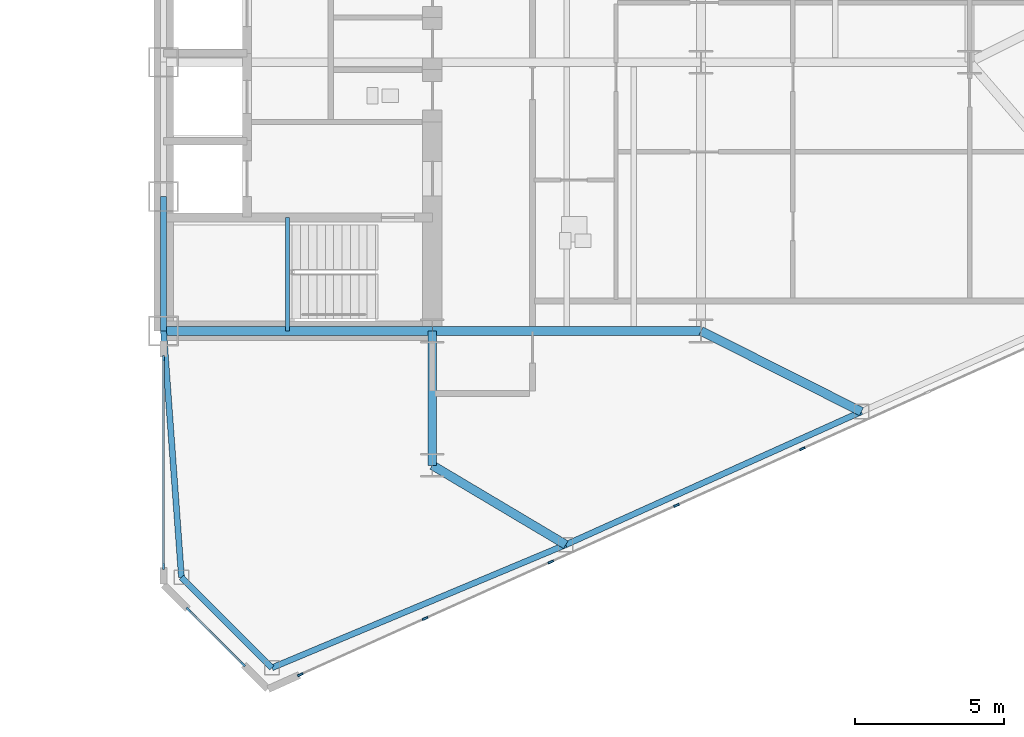
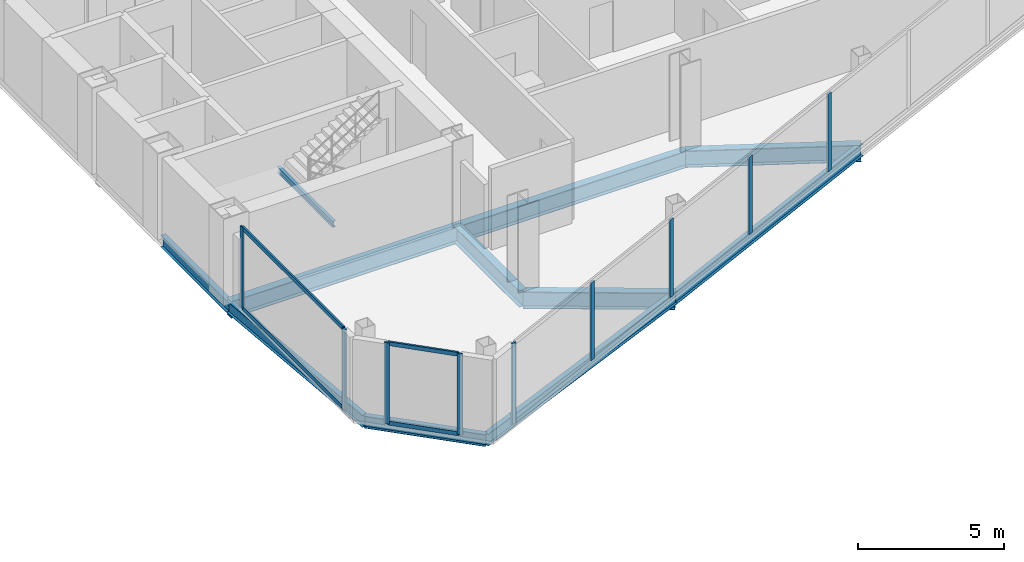
# One storey, part 10 of 27: 13 members, 11 beams, 3 elements without a shape of their own.
"""IFC4 building model written with IfcOpenShell, lengths in metres."""

from ifc_helpers import new_model, si_unit, direction, frame, origin, origin_2d, place, context, subcontext, project, spatial, rectangle, i_section, extrude, source, transform, mapped, material, layer, layer_set, material_profile, profile_set, type_object, type_shapes, element, aggregate, save


model = new_model("IFC4")

# Units and contexts
model_context = context("Model", 3, precision=1e-05, world=origin(), true_north=direction((0.0, 1.0)))
body_context = subcontext(model_context, "Body", "Model", "MODEL_VIEW")
ifc_project = project(units=[si_unit("LENGTHUNIT", "METRE"), si_unit("AREAUNIT", "SQUARE_METRE"), si_unit("VOLUMEUNIT", "CUBIC_METRE"), si_unit("PLANEANGLEUNIT", "RADIAN"), si_unit("MASSUNIT", "GRAM", prefix="KILO")], contexts=[model_context])

# Site, building, storey
site_placement = place(None, origin())
site = spatial("IfcSite", under=ifc_project, at=site_placement, CompositionType="ELEMENT")
building_placement = place(site_placement, origin())
building = spatial("IfcBuilding", under=site, at=building_placement, Name="Seokmaru Belvedere", CompositionType="ELEMENT")
storey_placement = place(building_placement, frame((0.0, 0.0, 99.60009765625)))
storey = spatial("IfcBuildingStorey", under=building, at=storey_placement, Name="L26", CompositionType="ELEMENT", Elevation=99.60009765625)

# Beams
ifc_material_1 = material(Name="Steel SM355 (355 MPa)", Category="steel")
ifc_material_profile_1 = material_profile(ifc_material_1, i_section(OverallWidth=0.199951171875, OverallDepth=0.5, WebThickness=0.010009765625, FlangeThickness=0.01611328125, at=origin_2d()), Name="H-500x200x10x16")
ifc_profile_set_1 = profile_set([ifc_material_profile_1], Name="Steel SM355 (355 MPa)")
beam_type_1 = type_object("IfcBeamType", Name="Perimeter Spandrel Beam H-500", PredefinedType="SPANDREL", material=ifc_profile_set_1)
shared_shape_1 = source(origin(), body_context, "Body", "SweptSolid", [
    extrude(i_section(OverallWidth=0.199951171875, OverallDepth=0.5, WebThickness=0.010009765625, FlangeThickness=0.01611328125, at=origin_2d()), origin(), (0.0, 0.0, 1.0), 4.5),
])
beam_1_placement = place(storey_placement, frame((27.5, -13.5, -0.47021484375), z_axis=(0.0, 1.0, 0.0), x_axis=(-1.0, 0.0, 0.0)))
element("IfcBeam", 1, at=beam_1_placement, inside=storey, type_object=beam_type_1, Name="L26 E Portal Spine Spandrel 1", PredefinedType="SPANDREL", context=body_context, shape_type="MappedRepresentation", body=[
    mapped(shared_shape_1, transform((0.0, 0.0, 0.0), scale=1.0)),
])
ifc_material_profile_2 = material_profile(ifc_material_1, i_section(OverallWidth=0.300048828125, OverallDepth=0.699951171875, WebThickness=0.012939453125, FlangeThickness=0.02392578125, at=origin_2d()), Name="H-700x300x13x24")
ifc_profile_set_2 = profile_set([ifc_material_profile_2], Name="Steel SM355 (355 MPa)")
beam_type_2 = type_object("IfcBeamType", Name="Primary Floor Girder H-700", PredefinedType="BEAM", material=ifc_profile_set_2)
shared_shape_2 = source(origin(), body_context, "Body", "SweptSolid", [
    extrude(i_section(OverallWidth=0.300048828125, OverallDepth=0.699951171875, WebThickness=0.012939453125, FlangeThickness=0.02392578125, at=origin_2d()), origin(), (0.0, 0.0, 1.0), 4.5),
])
beam_2_placement = place(storey_placement, frame((36.5, -18.0, -0.570068359375), z_axis=(0.0, 1.0, 0.0), x_axis=(-1.0, 0.0, 0.0)))
element("IfcBeam", 2, at=beam_2_placement, inside=storey, type_object=beam_type_2, Name="L26 E Core Shoulder Girder S", PredefinedType="BEAM", context=body_context, shape_type="MappedRepresentation", body=[
    mapped(shared_shape_2, transform((0.0, 0.0, 0.0), scale=1.0)),
])
shared_shape_3 = source(origin(), body_context, "Body", "SweptSolid", [
    extrude(i_section(OverallWidth=0.300048828125, OverallDepth=0.699951171875, WebThickness=0.012939453125, FlangeThickness=0.02392578125, at=origin_2d()), origin(), (0.0, 0.0, 1.0), 9.0),
])
for number, where, z_axis, x_axis, name in (
    (3, (27.5, -13.5, -0.570068359375), (1.0, 0.0, 0.0), (0.0, 1.0, 0.0), "L26 E Core Tie Girder 1"),
    (4, (36.5, -13.5, -0.570068359375), (1.0, 0.0, 0.0), (0.0, 1.0, 0.0), "L26 E Wing Primary Girder 1"),
):
    element("IfcBeam", number, at=place(storey_placement, frame(where, z_axis=z_axis, x_axis=x_axis)), inside=storey, type_object=beam_type_2, Name=name, PredefinedType="BEAM", context=body_context, shape_type="MappedRepresentation", body=[
        mapped(shared_shape_3, transform((0.0, 0.0, 0.0), scale=1.0)),
    ])
shared_shape_4 = source(origin(), body_context, "Body", "SweptSolid", [
    extrude(i_section(OverallWidth=0.199951171875, OverallDepth=0.5, WebThickness=0.010009765625, FlangeThickness=0.01611328125, at=origin_2d()), origin(), (0.0, 0.0, 1.0), 10.66943359375),
])
beam_3_placement = place(storey_placement, frame((31.13134765625, -24.782958984375, -0.47021484375), z_axis=(0.922375393128, 0.386294750355, 0.0), x_axis=(-0.386294750355, 0.922375393128, 0.0)))
element("IfcBeam", 5, at=beam_3_placement, inside=storey, type_object=beam_type_1, Name="L26 E Faceted Flank Spandrel S-1", PredefinedType="SPANDREL", context=body_context, shape_type="MappedRepresentation", body=[
    mapped(shared_shape_4, transform((0.0, 0.0, 0.0), scale=1.0)),
])
shared_shape_5 = source(origin(), body_context, "Body", "SweptSolid", [
    extrude(i_section(OverallWidth=0.199951171875, OverallDepth=0.5, WebThickness=0.010009765625, FlangeThickness=0.01611328125, at=origin_2d()), origin(), (0.0, 0.0, 1.0), 10.85888671875),
])
beam_4_placement = place(storey_placement, frame((40.97265625, -20.661376953125, -0.47021484375), z_axis=(0.911921505175, 0.410364677329, 0.0), x_axis=(-0.410364677329, 0.911921505175, 0.0)))
element("IfcBeam", 6, at=beam_4_placement, inside=storey, type_object=beam_type_1, Name="L26 E Faceted Flank Spandrel S-2", PredefinedType="SPANDREL", context=body_context, shape_type="MappedRepresentation", body=[
    mapped(shared_shape_5, transform((0.0, 0.0, 0.0), scale=1.0)),
])
shared_shape_6 = source(origin(), body_context, "Body", "SweptSolid", [
    extrude(i_section(OverallWidth=0.199951171875, OverallDepth=0.5, WebThickness=0.010009765625, FlangeThickness=0.01611328125, at=origin_2d()), origin(), (0.0, 0.0, 1.0), 4.287109375),
])
beam_5_placement = place(storey_placement, frame((31.13134765625, -24.782958984375, -0.47021484375), z_axis=(-0.707078306132, 0.707135255094, 0.0), x_axis=(-0.707135255094, -0.707078306132, 0.0)))
element("IfcBeam", 7, at=beam_5_placement, inside=storey, type_object=beam_type_1, Name="L26 E Shoulder Chamfer Spandrel S", PredefinedType="SPANDREL", context=body_context, shape_type="MappedRepresentation", body=[
    mapped(shared_shape_6, transform((0.0, 0.0, 0.0), scale=1.0)),
])
shared_shape_7 = source(origin(), body_context, "Body", "SweptSolid", [
    extrude(i_section(OverallWidth=0.199951171875, OverallDepth=0.5, WebThickness=0.010009765625, FlangeThickness=0.01611328125, at=origin_2d()), origin(), (0.0, 0.0, 1.0), 8.273193359375),
])
type_shapes(beam_type_1, [shared_shape_1, shared_shape_4, shared_shape_5, shared_shape_6, shared_shape_7])
beam_6_placement = place(storey_placement, frame((28.10009765625, -21.75146484375, -0.47021484375), z_axis=(-0.072534628348, 0.99736589459, 0.0), x_axis=(-0.99736589459, -0.072534628348, 0.0)))
element("IfcBeam", 8, at=beam_6_placement, inside=storey, type_object=beam_type_1, Name="L26 E Shoulder Spine Spandrel S", PredefinedType="SPANDREL", context=body_context, shape_type="MappedRepresentation", body=[
    mapped(shared_shape_7, transform((0.0, 0.0, 0.0), scale=1.0)),
])
shared_shape_8 = source(origin(), body_context, "Body", "SweptSolid", [
    extrude(i_section(OverallWidth=0.300048828125, OverallDepth=0.699951171875, WebThickness=0.012939453125, FlangeThickness=0.02392578125, at=origin_2d()), origin(), (0.0, 0.0, 1.0), 5.20458984375),
])
beam_7_placement = place(storey_placement, frame((40.97265625, -20.661376953125, -0.570068359375), z_axis=(-0.859370434188, 0.511353553662, 0.0), x_axis=(-0.511353553662, -0.859370434188, 0.0)))
element("IfcBeam", 9, at=beam_7_placement, inside=storey, type_object=beam_type_2, Name="L26 E Flank Radial Floor Girder S-1", PredefinedType="BEAM", context=body_context, shape_type="MappedRepresentation", body=[
    mapped(shared_shape_8, transform((0.0, 0.0, 0.0), scale=1.0)),
])
shared_shape_9 = source(origin(), body_context, "Body", "SweptSolid", [
    extrude(i_section(OverallWidth=0.300048828125, OverallDepth=0.699951171875, WebThickness=0.012939453125, FlangeThickness=0.02392578125, at=origin_2d()), origin(), (0.0, 0.0, 1.0), 6.017333984375),
])
type_shapes(beam_type_2, [shared_shape_2, shared_shape_3, shared_shape_8, shared_shape_9])
beam_8_placement = place(storey_placement, frame((50.875, -16.205322265625, -0.570068359375), z_axis=(-0.893239341975, 0.449581447512, 0.0), x_axis=(-0.449581447512, -0.893239341975, 0.0)))
element("IfcBeam", 10, at=beam_8_placement, inside=storey, type_object=beam_type_2, Name="L26 E Flank Radial Floor Girder S-2", PredefinedType="BEAM", context=body_context, shape_type="MappedRepresentation", body=[
    mapped(shared_shape_9, transform((0.0, 0.0, 0.0), scale=1.0)),
])

# Curtain wall, member
ifc_material_2 = material(Name="Bronze Triple Insulating Glass", Category="glass")
ifc_layer = layer(ifc_material_2, 0.195068359375)
ifc_layer_set = layer_set([ifc_layer], Name="Bronze Triple Insulating Glass")
curtain_wall_type = type_object("IfcCurtainWallType", Name="Lower-Mid Tapered Curtain Wall System CW-3", PredefinedType="NOTDEFINED", material=ifc_layer_set)
curtain_wall_1_placement = place(storey_placement, origin())
curtain_wall_1 = element("IfcCurtainWall", 11, at=curtain_wall_1_placement, inside=storey, type_object=curtain_wall_type, Name="L26 Curtain Wall EF1", PredefinedType="NOTDEFINED")
ifc_material_3 = material(Name="Anodised Bronze Aluminium", Category="aluminium")
ifc_material_profile_3 = material_profile(ifc_material_3, rectangle(XDim=0.070068359375, YDim=0.195068359375, at=origin_2d()), Name="CW-M-70x195")
ifc_profile_set_3 = profile_set([ifc_material_profile_3], Name="Anodised Bronze Aluminium")
member_type_1 = type_object("IfcMemberType", Name="Bronze Unitised Mullion 70x195", PredefinedType="MULLION", material=ifc_profile_set_3)
shared_shape_10 = source(origin(), body_context, "Body", "SweptSolid", [
    extrude(rectangle(XDim=0.070068359375, YDim=0.195068359375, at=origin_2d()), origin(), (0.0, 0.0, 1.0), 3.3798828125),
])
member_1_placement = place(storey_placement, frame((32.08056640625, -25.013671875, 0.0), z_axis=(0.0, 0.0, 1.0), x_axis=(-0.41036554765, 0.91192111353, 0.0)))
member_1 = element("IfcMember", 12, at=member_1_placement, type_object=member_type_1, Name="CW:L26:EF1 Mullion 1", PredefinedType="MULLION", context=body_context, shape_type="MappedRepresentation", body=[
    mapped(shared_shape_10, transform((0.0, 0.0, 0.0), scale=1.0)),
])

# Curtain wall, members
curtain_wall_2_placement = place(storey_placement, origin())
curtain_wall_2 = element("IfcCurtainWall", 13, at=curtain_wall_2_placement, inside=storey, type_object=curtain_wall_type, Name="L26 Curtain Wall ESP_1", PredefinedType="NOTDEFINED")
member_2_placement = place(storey_placement, frame((27.5, -14.4150390625, 0.0), z_axis=(0.0, 0.0, 1.0), x_axis=(1.0, 0.0, 0.0)))
member_2 = element("IfcMember", 14, at=member_2_placement, type_object=member_type_1, Name="CW:L26:ESP_1 Mullion 1", PredefinedType="MULLION", context=body_context, shape_type="MappedRepresentation", body=[
    mapped(shared_shape_10, transform((0.0, 0.0, 0.0), scale=1.0)),
])
member_3_placement = place(storey_placement, frame((27.5, -21.39501953125, 0.0), z_axis=(0.0, 0.0, 1.0), x_axis=(1.0, 0.0, 0.0)))
member_3 = element("IfcMember", 15, at=member_3_placement, type_object=member_type_1, Name="CW:L26:ESP_1 Mullion 2", PredefinedType="MULLION", context=body_context, shape_type="MappedRepresentation", body=[
    mapped(shared_shape_10, transform((0.0, 0.0, 0.0), scale=1.0)),
])

curtain_wall_3_placement = place(storey_placement, origin())
curtain_wall_3 = element("IfcCurtainWall", 16, at=curtain_wall_3_placement, inside=storey, type_object=curtain_wall_type, Name="L26 Curtain Wall EF6", PredefinedType="NOTDEFINED")
member_4_placement = place(storey_placement, frame((28.337890625, -22.837890625, 0.0), z_axis=(0.0, 0.0, 1.0), x_axis=(0.707106781187, 0.707106781187, 0.0)))
member_4 = element("IfcMember", 17, at=member_4_placement, type_object=member_type_1, Name="CW:L26:EF6 Mullion 1", PredefinedType="MULLION", context=body_context, shape_type="MappedRepresentation", body=[
    mapped(shared_shape_10, transform((0.0, 0.0, 0.0), scale=1.0)),
])
member_5_placement = place(storey_placement, frame((30.162109375, -24.662109375, 0.0), z_axis=(0.0, 0.0, 1.0), x_axis=(0.707106781187, 0.707106781187, 0.0)))
member_5 = element("IfcMember", 18, at=member_5_placement, type_object=member_type_1, Name="CW:L26:EF6 Mullion 2", PredefinedType="MULLION", context=body_context, shape_type="MappedRepresentation", body=[
    mapped(shared_shape_10, transform((0.0, 0.0, 0.0), scale=1.0)),
])

# Member
ifc_material_profile_4 = material_profile(ifc_material_3, rectangle(XDim=0.070068359375, YDim=0.1650390625, at=origin_2d()), Name="CW-T-70x165")
ifc_profile_set_4 = profile_set([ifc_material_profile_4], Name="Anodised Bronze Aluminium")
member_type_2 = type_object("IfcMemberType", Name="Bronze Unitised Transom 70x165", PredefinedType="USERDEFINED", material=ifc_profile_set_4)
shared_shape_11 = source(origin(), body_context, "Body", "SweptSolid", [
    extrude(rectangle(XDim=0.070068359375, YDim=0.1650390625, at=origin_2d()), origin(), (0.0, 0.0, 1.0), 6.91015625),
])
member_6_placement = place(storey_placement, frame((27.5, -14.449951171875, 0.034912109375), z_axis=(0.0, -1.0, 0.0), x_axis=(1.0, 0.0, 0.0)))
member_6 = element("IfcMember", 19, at=member_6_placement, type_object=member_type_2, Name="CW:L26:ESP_1 Continuous Transom 1", ObjectType="TRANSOM", PredefinedType="USERDEFINED", context=body_context, shape_type="MappedRepresentation", body=[
    mapped(shared_shape_11, transform((0.0, 0.0, 0.0), scale=1.0)),
])

member_7_placement = place(storey_placement, frame((27.5, -14.449951171875, 3.344970703125), z_axis=(0.0, -1.0, 0.0), x_axis=(1.0, 0.0, 0.0)))
member_7 = element("IfcMember", 20, at=member_7_placement, type_object=member_type_2, Name="CW:L26:ESP_1 Continuous Transom 2", ObjectType="TRANSOM", PredefinedType="USERDEFINED", context=body_context, shape_type="MappedRepresentation", body=[
    mapped(shared_shape_11, transform((0.0, 0.0, 0.0), scale=1.0)),
])

aggregate(curtain_wall_2, [member_2, member_3, member_6, member_7])

shared_shape_12 = source(origin(), body_context, "Body", "SweptSolid", [
    extrude(rectangle(XDim=0.070068359375, YDim=0.1650390625, at=origin_2d()), origin(), (0.0, 0.0, 1.0), 2.509521484375),
])
type_shapes(member_type_2, [shared_shape_11, shared_shape_12])
member_8_placement = place(storey_placement, frame((28.36279296875, -22.86279296875, 0.034912109375), z_axis=(0.707106781187, -0.707106781187, 0.0), x_axis=(0.707106781187, 0.707106781187, 0.0)))
member_8 = element("IfcMember", 21, at=member_8_placement, type_object=member_type_2, Name="CW:L26:EF6 Continuous Transom 1", ObjectType="TRANSOM", PredefinedType="USERDEFINED", context=body_context, shape_type="MappedRepresentation", body=[
    mapped(shared_shape_12, transform((0.0, 0.0, 0.0), scale=1.0)),
])

member_9_placement = place(storey_placement, frame((28.36279296875, -22.86279296875, 3.344970703125), z_axis=(0.707106781187, -0.707106781187, 0.0), x_axis=(0.707106781187, 0.707106781187, 0.0)))
member_9 = element("IfcMember", 22, at=member_9_placement, type_object=member_type_2, Name="CW:L26:EF6 Continuous Transom 2", ObjectType="TRANSOM", PredefinedType="USERDEFINED", context=body_context, shape_type="MappedRepresentation", body=[
    mapped(shared_shape_12, transform((0.0, 0.0, 0.0), scale=1.0)),
])

aggregate(curtain_wall_3, [member_4, member_5, member_8, member_9])

shared_shape_13 = source(origin(), body_context, "Body", "SweptSolid", [
    extrude(rectangle(XDim=0.070068359375, YDim=0.195068359375, at=origin_2d()), origin(), (0.0, 0.0, 1.0), 3.239990234375),
])
type_shapes(member_type_1, [shared_shape_10, shared_shape_13])
member_10_placement = place(storey_placement, frame((36.260009765625, -23.133056640625, 0.06982421875), z_axis=(0.0, 0.0, 1.0), x_axis=(-0.41036554765, 0.91192111353, 0.0)))
member_10 = element("IfcMember", 23, at=member_10_placement, type_object=member_type_1, Name="CW:L26:EF1 Mullion 2", PredefinedType="MULLION", context=body_context, shape_type="MappedRepresentation", body=[
    mapped(shared_shape_13, transform((0.0, 0.0, 0.0), scale=1.0)),
])

member_11_placement = place(storey_placement, frame((40.471435546875, -21.23779296875, 0.06982421875), z_axis=(0.0, 0.0, 1.0), x_axis=(-0.41036554765, 0.91192111353, 0.0)))
member_11 = element("IfcMember", 24, at=member_11_placement, type_object=member_type_1, Name="CW:L26:EF1 Mullion 3", PredefinedType="MULLION", context=body_context, shape_type="MappedRepresentation", body=[
    mapped(shared_shape_13, transform((0.0, 0.0, 0.0), scale=1.0)),
])

member_12_placement = place(storey_placement, frame((44.682861328125, -19.3427734375, 0.06982421875), z_axis=(0.0, 0.0, 1.0), x_axis=(-0.41036554765, 0.91192111353, 0.0)))
member_12 = element("IfcMember", 25, at=member_12_placement, type_object=member_type_1, Name="CW:L26:EF1 Mullion 4", PredefinedType="MULLION", context=body_context, shape_type="MappedRepresentation", body=[
    mapped(shared_shape_13, transform((0.0, 0.0, 0.0), scale=1.0)),
])

member_13_placement = place(storey_placement, frame((48.894287109375, -17.447509765625, 0.06982421875), z_axis=(0.0, 0.0, 1.0), x_axis=(-0.41036554765, 0.91192111353, 0.0)))
member_13 = element("IfcMember", 26, at=member_13_placement, type_object=member_type_1, Name="CW:L26:EF1 Mullion 5", PredefinedType="MULLION", context=body_context, shape_type="MappedRepresentation", body=[
    mapped(shared_shape_13, transform((0.0, 0.0, 0.0), scale=1.0)),
])

aggregate(curtain_wall_1, [member_1, member_10, member_11, member_12, member_13])

# Beam
ifc_material_profile_5 = material_profile(ifc_material_1, i_section(OverallWidth=0.125, OverallDepth=0.25, WebThickness=0.006103515625, FlangeThickness=0.009033203125, at=origin_2d()), Name="H-250x125x6x9")
ifc_profile_set_5 = profile_set([ifc_material_profile_5], Name="Steel SM355 (355 MPa)")
beam_type_3 = type_object("IfcBeamType", Name="Stair Mid-Landing Support Beam H-250", PredefinedType="JOIST", material=ifc_profile_set_5)
shared_shape_14 = source(origin(), body_context, "Body", "SweptSolid", [
    extrude(i_section(OverallWidth=0.125, OverallDepth=0.25, WebThickness=0.006103515625, FlangeThickness=0.009033203125, at=origin_2d()), origin(), (0.0, 0.0, 1.0), 3.800048828125),
])
type_shapes(beam_type_3, [shared_shape_14])
beam_9_placement = place(storey_placement, frame((31.64990234375, -13.5, 1.474853515625), z_axis=(0.0, 1.0, 0.0), x_axis=(-1.0, 0.0, 0.0)))
element("IfcBeam", 27, at=beam_9_placement, inside=storey, type_object=beam_type_3, Name="L26 Stair ST-E1 Mid-Landing Support Beam 1", PredefinedType="JOIST", context=body_context, shape_type="MappedRepresentation", body=[
    mapped(shared_shape_14, transform((0.0, 0.0, 0.0), scale=1.0)),
])

save(model, "model.ifc")
